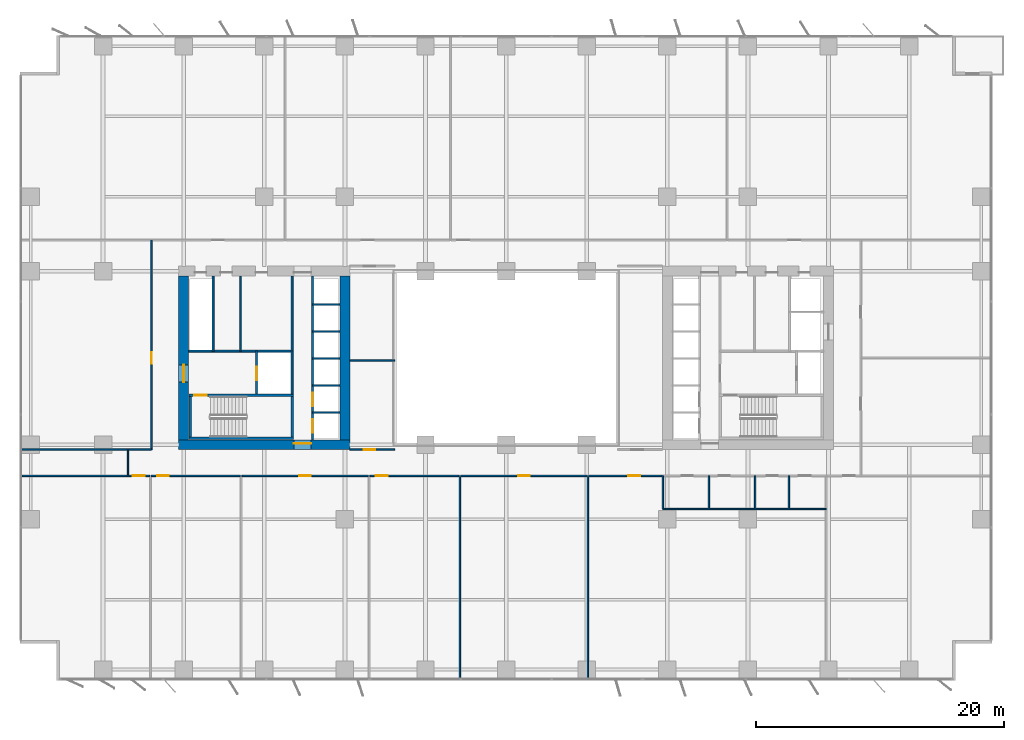
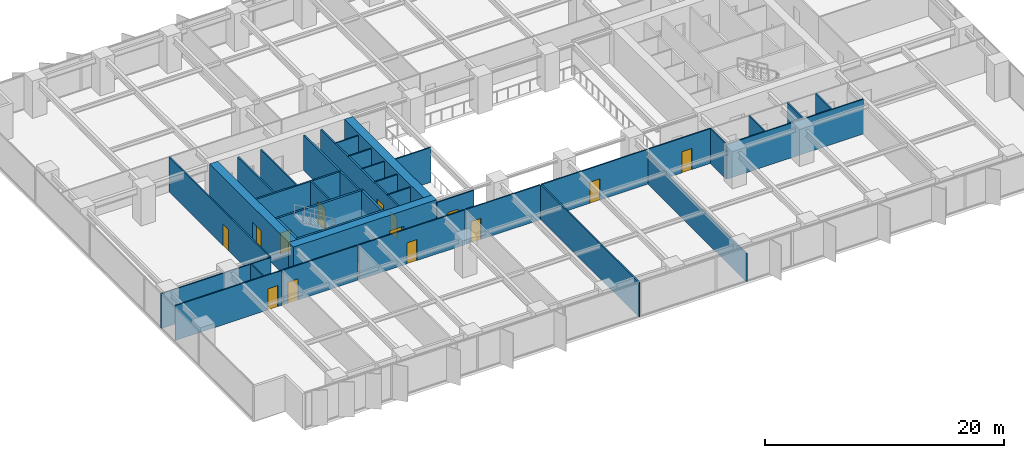
# One storey, part 13 of 20: 37 walls, 14 doors, 14 openings.
"""IFC4 building model written with IfcOpenShell, lengths in metres."""

from ifc_helpers import new_model, si_unit, direction, frame, frame_2d, origin, place, context, subcontext, project, spatial, rectangle, extrude, material, layer, layer_set, type_object, element, fill, save


model = new_model("IFC4")

# Units and contexts
model_context = context("Model", 3, precision=1e-05, world=origin(), true_north=direction((0.0, 1.0)))
body_context = subcontext(model_context, "Body", "Model", "MODEL_VIEW")
ifc_project = project(units=[si_unit("LENGTHUNIT", "METRE"), si_unit("AREAUNIT", "SQUARE_METRE"), si_unit("VOLUMEUNIT", "CUBIC_METRE"), si_unit("PLANEANGLEUNIT", "RADIAN"), si_unit("MASSUNIT", "GRAM", prefix="KILO")], contexts=[model_context])

# Site, building, storey
site_placement = place(None, origin())
site = spatial("IfcSite", under=ifc_project, at=site_placement, CompositionType="ELEMENT")
building_placement = place(site_placement, origin())
building = spatial("IfcBuilding", under=site, at=building_placement, Name="Putna Gate Headquarters", CompositionType="ELEMENT")
storey_placement = place(building_placement, frame((0.0, 0.0, 62.0)))
storey = spatial("IfcBuildingStorey", under=building, at=storey_placement, Name="L14", CompositionType="ELEMENT", Elevation=62.0)

# Wall, opening, door
ifc_material_1 = material(Name="Concrete C60/75", Category="concrete")
ifc_layer_1 = layer(ifc_material_1, 0.800048828125)
ifc_layer_set_1 = layer_set([ifc_layer_1], Name="Concrete C60/75")
wall_type_1 = type_object("IfcWallType", Name="WALL-CORE-800", PredefinedType="SHEAR", material=ifc_layer_set_1)
wall_1_placement = place(storey_placement, frame((12.60009765625, 19.0, 0.0), z_axis=(0.0, 0.0, 1.0), x_axis=(1.0, 0.0, 0.0)))
wall_1 = element("IfcWall", 1, at=wall_1_placement, inside=storey, type_object=wall_type_1, Name="L14 WC Split Core Shear Wall S", PredefinedType="SHEAR", context=body_context, shape_type="SweptSolid", body=[
    extrude(rectangle(XDim=13.7998046875, YDim=0.800048828125, at=frame_2d((6.89990234375, 0.0))), origin(), (0.0, 0.0, 1.0), 3.800048828125),
])
opening_1_placement = place(wall_1_placement, frame((9.280029296875, 0.0, 0.0)))
opening_1 = element("IfcOpeningElement", 2, at=opening_1_placement, cuts=wall_1, Name="Opening FDD-140", PredefinedType="OPENING", context=body_context, shape_type="SweptSolid", body=[
    extrude(rectangle(XDim=1.39990234375, YDim=2.199951171875, at=frame_2d((0.699951171875, 1.10009765625))), frame((0.0, 0.409912109375, 0.0), z_axis=(0.0, -1.0, 0.0), x_axis=(1.0, 0.0, 0.0)), (0.0, 0.0, 1.0), 0.820068359375),
])
ifc_material_2 = material(Name="Double steel fire door", Category="steel")
door_type_1 = type_object("IfcDoorType", Name="DOOR-FIRE-DBL-1400", OperationType="DOUBLE_DOOR_SINGLE_SWING", PredefinedType="DOOR", material=ifc_material_2)
door_1_placement = place(opening_1_placement, origin())
door_1 = element("IfcDoor", 3, at=door_1_placement, inside=storey, type_object=door_type_1, Name="L14 West Lift Lobby South Door", OperationType="DOUBLE_DOOR_SINGLE_SWING", OverallHeight=2.199951171875, OverallWidth=1.39990234375, PredefinedType="DOOR", context=body_context, shape_type="SweptSolid", body=[
    extrude(rectangle(XDim=1.39990234375, YDim=2.199951171875, at=frame_2d((0.699951171875, 1.10009765625))), frame((0.0, 0.125, 0.0), z_axis=(0.0, -1.0, 0.0), x_axis=(1.0, 0.0, 0.0)), (0.0, 0.0, 1.0), 0.050048828125),
])
fill(opening_1, door_1)

wall_2_placement = place(storey_placement, frame((13.0, 19.39990234375, 0.0), z_axis=(0.0, 0.0, 1.0), x_axis=(0.0, 1.0, 0.0)))
wall_2 = element("IfcWall", 4, at=wall_2_placement, inside=storey, type_object=wall_type_1, Name="L14 WC Split Core Shear Wall W", PredefinedType="SHEAR", context=body_context, shape_type="SweptSolid", body=[
    extrude(rectangle(XDim=13.2001953125, YDim=0.800048828125, at=frame_2d((6.60009765625, 0.0))), origin(), (0.0, 0.0, 1.0), 3.800048828125),
])
opening_2_placement = place(wall_2_placement, frame((4.64990234375, 0.0, 0.0)))
opening_2 = element("IfcOpeningElement", 5, at=opening_2_placement, cuts=wall_2, Name="Opening FDD-140", PredefinedType="OPENING", context=body_context, shape_type="SweptSolid", body=[
    extrude(rectangle(XDim=1.39990234375, YDim=2.199951171875, at=frame_2d((0.699951171875, 1.10009765625))), frame((0.0, 0.409912109375, 0.0), z_axis=(0.0, -1.0, 0.0), x_axis=(1.0, 0.0, 0.0)), (0.0, 0.0, 1.0), 0.820068359375),
])
door_2_placement = place(opening_2_placement, origin())
door_2 = element("IfcDoor", 6, at=door_2_placement, inside=storey, type_object=door_type_1, Name="L14 West Firefighting Lobby Door", OperationType="DOUBLE_DOOR_SINGLE_SWING", OverallHeight=2.199951171875, OverallWidth=1.39990234375, PredefinedType="DOOR", context=body_context, shape_type="SweptSolid", body=[
    extrude(rectangle(XDim=1.39990234375, YDim=2.199951171875, at=frame_2d((0.699951171875, 1.10009765625))), frame((0.0, 0.02490234375, 0.0), z_axis=(0.0, -1.0, 0.0), x_axis=(1.0, 0.0, 0.0)), (0.0, 0.0, 1.0), 0.050048828125),
])
fill(opening_2, door_2)

# Walls
wall_3_placement = place(storey_placement, frame((26.0, 19.39990234375, 0.0), z_axis=(0.0, 0.0, 1.0), x_axis=(0.0, 1.0, 0.0)))
element("IfcWall", 7, at=wall_3_placement, inside=storey, type_object=wall_type_1, Name="L14 WC Split Core Shear Wall E", PredefinedType="SHEAR", context=body_context, shape_type="SweptSolid", body=[
    extrude(rectangle(XDim=13.2001953125, YDim=0.800048828125, at=frame_2d((6.60009765625, 0.0))), origin(), (0.0, 0.0, 1.0), 3.800048828125),
])
ifc_material_3 = material(Name="Acoustic gypsum board on metal stud")
ifc_layer_2 = layer(ifc_material_3, 0.1201171875)
ifc_layer_set_2 = layer_set([ifc_layer_2], Name="Acoustic gypsum board on metal stud")
wall_type_2 = type_object("IfcWallType", Name="WALL-PART-120", PredefinedType="PARTITIONING", material=ifc_layer_set_2)
wall_4_placement = place(storey_placement, frame((26.39990234375, 25.800048828125, 0.0), z_axis=(0.0, 0.0, 1.0), x_axis=(1.0, 0.0, 0.0)))
element("IfcWall", 8, at=wall_4_placement, inside=storey, type_object=wall_type_2, Name="L14 Interior Wall PART-L14-ATR-W-DIV", PredefinedType="PARTITIONING", context=body_context, shape_type="SweptSolid", body=[
    extrude(rectangle(XDim=3.60009765625, YDim=0.1201171875, at=frame_2d((1.800048828125, 0.0))), origin(), (0.0, 0.0, 1.0), 3.550048828125),
])

# Wall, opening, door
wall_5_placement = place(storey_placement, frame((26.39990234375, 18.60009765625, 0.0), z_axis=(0.0, 0.0, 1.0), x_axis=(1.0, 0.0, 0.0)))
wall_5 = element("IfcWall", 9, at=wall_5_placement, inside=storey, type_object=wall_type_2, Name="L14 Interior Wall PART-L14-ATR-W-S", PredefinedType="PARTITIONING", context=body_context, shape_type="SweptSolid", body=[
    extrude(rectangle(XDim=3.60009765625, YDim=0.1201171875, at=frame_2d((1.800048828125, 0.0))), origin(), (0.0, 0.0, 1.0), 3.550048828125),
])
opening_3_placement = place(wall_5_placement, frame((1.10009765625, 0.0, 0.0)))
opening_3 = element("IfcOpeningElement", 10, at=opening_3_placement, cuts=wall_5, Name="Opening ID-95", PredefinedType="OPENING", context=body_context, shape_type="SweptSolid", body=[
    extrude(rectangle(XDim=0.949951171875, YDim=2.14990234375, at=frame_2d((0.47509765625, 1.074951171875))), frame((0.0, 0.070068359375, 0.0), z_axis=(0.0, -1.0, 0.0), x_axis=(1.0, 0.0, 0.0)), (0.0, 0.0, 1.0), 0.14013671875),
])
ifc_material_4 = material(Name="Veneered acoustic timber door", Category="wood")
door_type_2 = type_object("IfcDoorType", Name="DOOR-OFF-950", OperationType="NOTDEFINED", PredefinedType="DOOR", material=ifc_material_4)
door_3_placement = place(opening_3_placement, origin())
door_3 = element("IfcDoor", 11, at=door_3_placement, inside=storey, type_object=door_type_2, Name="L14 West Atrium South Study Door", OperationType="SINGLE_SWING_LEFT", OverallHeight=2.14990234375, OverallWidth=0.949951171875, PredefinedType="DOOR", context=body_context, shape_type="SweptSolid", body=[
    extrude(rectangle(XDim=0.949951171875, YDim=2.14990234375, at=frame_2d((0.47509765625, 1.074951171875))), frame((0.0, 0.02490234375, 0.0), z_axis=(0.0, -1.0, 0.0), x_axis=(1.0, 0.0, 0.0)), (0.0, 0.0, 1.0), 0.050048828125),
])
fill(opening_3, door_3)

# Walls
wall_6_placement = place(storey_placement, frame((35.27099609375, 0.02001953125, 0.0), z_axis=(0.0, 0.0, 1.0), x_axis=(0.0, 1.0, 0.0)))
element("IfcWall", 12, at=wall_6_placement, inside=storey, type_object=wall_type_2, Name="L14 Interior Wall PART-L14-SB-DIV-04", PredefinedType="PARTITIONING", context=body_context, shape_type="SweptSolid", body=[
    extrude(rectangle(XDim=16.419921875, YDim=0.1201171875, at=frame_2d((8.2099609375, 0.0))), origin(), (0.0, 0.0, 1.0), 3.550048828125),
])
wall_7_placement = place(storey_placement, frame((45.60009765625, 0.02001953125, 0.0), z_axis=(0.0, 0.0, 1.0), x_axis=(0.0, 1.0, 0.0)))
element("IfcWall", 13, at=wall_7_placement, inside=storey, type_object=wall_type_2, Name="L14 Interior Wall PART-L14-SB-DIV-05", PredefinedType="PARTITIONING", context=body_context, shape_type="SweptSolid", body=[
    extrude(rectangle(XDim=16.419921875, YDim=0.1201171875, at=frame_2d((8.2099609375, 0.0))), origin(), (0.0, 0.0, 1.0), 2.89990234375),
])
ifc_material_5 = material(Name="Fire-rated shaftwall gypsum board on metal stud")
ifc_layer_3 = layer(ifc_material_5, 0.1201171875)
ifc_layer_set_3 = layer_set([ifc_layer_3], Name="Fire-rated shaftwall gypsum board on metal stud")
wall_type_3 = type_object("IfcWallType", Name="WALL-PART-120-EI120", PredefinedType="PARTITIONING", material=ifc_layer_set_3)
for number, where, z_axis, x_axis, name in (
    (14, (23.39990234375, 21.610107421875, 0.0), (0.0, 0.0, 1.0), (1.0, 0.0, 0.0), "L14 Interior Wall CWINT-L14-WC-LF01-DIV"),
    (15, (23.39990234375, 23.780029296875, 0.0), (0.0, 0.0, 1.0), (1.0, 0.0, 0.0), "L14 Interior Wall CWINT-L14-WC-LF02-DIV"),
    (16, (23.39990234375, 25.949951171875, 0.0), (0.0, 0.0, 1.0), (1.0, 0.0, 0.0), "L14 Interior Wall CWINT-L14-WC-LF05-DIV"),
    (17, (23.39990234375, 28.1201171875, 0.0), (0.0, 0.0, 1.0), (1.0, 0.0, 0.0), "L14 Interior Wall CWINT-L14-WC-LF06-DIV"),
    (18, (23.39990234375, 30.31005859375, 0.0), (0.0, 0.0, 1.0), (1.0, 0.0, 0.0), "L14 Interior Wall CWINT-L14-WC-LF09-DIV"),
):
    element("IfcWall", number, at=place(storey_placement, frame(where, z_axis=z_axis, x_axis=x_axis)), inside=storey, type_object=wall_type_3, Name=name, PredefinedType="PARTITIONING", context=body_context, shape_type="SweptSolid", body=[
        extrude(rectangle(XDim=2.2001953125, YDim=0.1201171875, at=frame_2d((1.10009765625, 0.0))), origin(), (0.0, 0.0, 1.0), 3.550048828125),
    ])
ifc_material_6 = material(Name="Fire-rated gypsum board on metal stud")
ifc_layer_4 = layer(ifc_material_6, 0.1201171875)
ifc_layer_set_4 = layer_set([ifc_layer_4], Name="Fire-rated gypsum board on metal stud")
wall_type_4 = type_object("IfcWallType", Name="WALL-PART-120-RATED", PredefinedType="PARTITIONING", material=ifc_layer_set_4)
wall_8_placement = place(storey_placement, frame((17.570068359375, 26.56005859375, 0.0), z_axis=(0.0, 0.0, 1.0), x_axis=(0.0, 1.0, 0.0)))
element("IfcWall", 19, at=wall_8_placement, inside=storey, type_object=wall_type_4, Name="L14 Interior Wall CWINT-L14-WC-K1-DIV", PredefinedType="PARTITIONING", context=body_context, shape_type="SweptSolid", body=[
    extrude(rectangle(XDim=6.0400390625, YDim=0.1201171875, at=frame_2d((3.02001953125, 0.0))), origin(), (0.0, 0.0, 1.0), 3.550048828125),
])
wall_9_placement = place(storey_placement, frame((8.509033203125, 16.5, 0.0), z_axis=(0.0, 0.0, 1.0), x_axis=(0.0, 1.0, 0.0)))
element("IfcWall", 20, at=wall_9_placement, inside=storey, type_object=wall_type_4, Name="L14 Interior Wall PART-L14-CORRS-CAPW", PredefinedType="PARTITIONING", context=body_context, shape_type="SweptSolid", body=[
    extrude(rectangle(XDim=2.10009765625, YDim=0.1201171875, at=frame_2d((1.050048828125, 0.0))), origin(), (0.0, 0.0, 1.0), 3.550048828125),
])
wall_10_placement = place(storey_placement, frame((51.639892578125, 13.820068359375, 0.0), z_axis=(0.0, 0.0, 1.0), x_axis=(1.0, 0.0, 0.0)))
element("IfcWall", 21, at=wall_10_placement, inside=storey, type_object=wall_type_4, Name="L14 Interior Wall PART-L14-SAN-BACK", PredefinedType="PARTITIONING", context=body_context, shape_type="SweptSolid", body=[
    extrude(rectangle(XDim=13.16015625, YDim=0.1201171875, at=frame_2d((6.580078125, 0.0))), origin(), (0.0, 0.0, 1.0), 3.550048828125),
])
for number, where, z_axis, x_axis, name in (
    (22, (51.639892578125, 13.820068359375, 0.0), (0.0, 0.0, 1.0), (0.0, 1.0, 0.0), "L14 Interior Wall PART-L14-SAN-DIV-1"),
    (23, (55.360107421875, 13.820068359375, 0.0), (0.0, 0.0, 1.0), (0.0, 1.0, 0.0), "L14 Interior Wall PART-L14-SAN-DIV-2"),
    (24, (59.080078125, 13.820068359375, 0.0), (0.0, 0.0, 1.0), (0.0, 1.0, 0.0), "L14 Interior Wall PART-L14-SAN-DIV-3"),
    (25, (61.800048828125, 13.820068359375, 0.0), (0.0, 0.0, 1.0), (0.0, 1.0, 0.0), "L14 Interior Wall PART-L14-SAN-DIV-4"),
):
    element("IfcWall", number, at=place(storey_placement, frame(where, z_axis=z_axis, x_axis=x_axis)), inside=storey, type_object=wall_type_4, Name=name, PredefinedType="PARTITIONING", context=body_context, shape_type="SweptSolid", body=[
        extrude(rectangle(XDim=2.679931640625, YDim=0.1201171875, at=frame_2d((1.33984375, 0.0))), origin(), (0.0, 0.0, 1.0), 3.550048828125),
    ])

# Wall, opening, door
wall_11_placement = place(storey_placement, frame((-0.02001953125, 16.5, 0.0), z_axis=(0.0, 0.0, 1.0), x_axis=(1.0, 0.0, 0.0)))
wall_11 = element("IfcWall", 26, at=wall_11_placement, inside=storey, type_object=wall_type_4, Name="L14 Interior Wall PART-L14-SB-CW-01", PredefinedType="PARTITIONING", context=body_context, shape_type="SweptSolid", body=[
    extrude(rectangle(XDim=10.26904296875, YDim=0.1201171875, at=frame_2d((5.134521484375, 0.0))), origin(), (0.0, 0.0, 1.0), 3.550048828125),
])
opening_4_placement = place(wall_11_placement, frame((8.924072265625, 0.0, 0.0)))
opening_4 = element("IfcOpeningElement", 27, at=opening_4_placement, cuts=wall_11, Name="Opening FD-95", PredefinedType="OPENING", context=body_context, shape_type="SweptSolid", body=[
    extrude(rectangle(XDim=0.949951171875, YDim=2.14990234375, at=frame_2d((0.47509765625, 1.074951171875))), frame((0.0, 0.070068359375, 0.0), z_axis=(0.0, -1.0, 0.0), x_axis=(1.0, 0.0, 0.0)), (0.0, 0.0, 1.0), 0.14013671875),
])
ifc_material_7 = material(Name="Acoustic timber fire door", Category="wood")
door_type_3 = type_object("IfcDoorType", Name="DOOR-FIRE-950", OperationType="NOTDEFINED", PredefinedType="DOOR", material=ifc_material_7)
door_4_placement = place(opening_4_placement, origin())
door_4 = element("IfcDoor", 28, at=door_4_placement, inside=storey, type_object=door_type_3, Name="L14 Cellular Office 2 Door", OperationType="SINGLE_SWING_RIGHT", OverallHeight=2.14990234375, OverallWidth=0.949951171875, PredefinedType="DOOR", context=body_context, shape_type="SweptSolid", body=[
    extrude(rectangle(XDim=0.949951171875, YDim=2.14990234375, at=frame_2d((0.47509765625, 1.074951171875))), frame((0.0, 0.02490234375, 0.0), z_axis=(0.0, -1.0, 0.0), x_axis=(1.0, 0.0, 0.0)), (0.0, 0.0, 1.0), 0.050048828125),
])
fill(opening_4, door_4)

wall_12_placement = place(storey_placement, frame((10.369140625, 16.5, 0.0), z_axis=(0.0, 0.0, 1.0), x_axis=(1.0, 0.0, 0.0)))
wall_12 = element("IfcWall", 29, at=wall_12_placement, inside=storey, type_object=wall_type_4, Name="L14 Interior Wall PART-L14-SB-CW-02", PredefinedType="PARTITIONING", context=body_context, shape_type="SweptSolid", body=[
    extrude(rectangle(XDim=7.1962890625, YDim=0.1201171875, at=frame_2d((3.59814453125, 0.0))), origin(), (0.0, 0.0, 1.0), 3.550048828125),
])
opening_5_placement = place(wall_12_placement, frame((0.47998046875, 0.0, 0.0)))
opening_5 = element("IfcOpeningElement", 30, at=opening_5_placement, cuts=wall_12, Name="Opening FD-95", PredefinedType="OPENING", context=body_context, shape_type="SweptSolid", body=[
    extrude(rectangle(XDim=0.949951171875, YDim=2.14990234375, at=frame_2d((0.47509765625, 1.074951171875))), frame((0.0, 0.070068359375, 0.0), z_axis=(0.0, -1.0, 0.0), x_axis=(1.0, 0.0, 0.0)), (0.0, 0.0, 1.0), 0.14013671875),
])
door_5_placement = place(opening_5_placement, origin())
door_5 = element("IfcDoor", 31, at=door_5_placement, inside=storey, type_object=door_type_3, Name="L14 Conference Meeting Room 4 Door", OperationType="SINGLE_SWING_LEFT", OverallHeight=2.14990234375, OverallWidth=0.949951171875, PredefinedType="DOOR", context=body_context, shape_type="SweptSolid", body=[
    extrude(rectangle(XDim=0.949951171875, YDim=2.14990234375, at=frame_2d((0.47509765625, 1.074951171875))), frame((0.0, 0.02490234375, 0.0), z_axis=(0.0, -1.0, 0.0), x_axis=(1.0, 0.0, 0.0)), (0.0, 0.0, 1.0), 0.050048828125),
])
fill(opening_5, door_5)

wall_13_placement = place(storey_placement, frame((17.685546875, 16.5, 0.0), z_axis=(0.0, 0.0, 1.0), x_axis=(1.0, 0.0, 0.0)))
wall_13 = element("IfcWall", 32, at=wall_13_placement, inside=storey, type_object=wall_type_4, Name="L14 Interior Wall PART-L14-SB-CW-03", PredefinedType="PARTITIONING", context=body_context, shape_type="SweptSolid", body=[
    extrude(rectangle(XDim=10.208984375, YDim=0.1201171875, at=frame_2d((5.1044921875, 0.0))), origin(), (0.0, 0.0, 1.0), 3.550048828125),
])
opening_6_placement = place(wall_13_placement, frame((4.62939453125, 0.0, 0.0)))
opening_6 = element("IfcOpeningElement", 33, at=opening_6_placement, cuts=wall_13, Name="Opening FD-95", PredefinedType="OPENING", context=body_context, shape_type="SweptSolid", body=[
    extrude(rectangle(XDim=0.949951171875, YDim=2.14990234375, at=frame_2d((0.47509765625, 1.074951171875))), frame((0.0, 0.070068359375, 0.0), z_axis=(0.0, -1.0, 0.0), x_axis=(1.0, 0.0, 0.0)), (0.0, 0.0, 1.0), 0.14013671875),
])
door_6_placement = place(opening_6_placement, origin())
door_6 = element("IfcDoor", 34, at=door_6_placement, inside=storey, type_object=door_type_3, Name="L14 Conference Meeting Room 5 Door", OperationType="SINGLE_SWING_RIGHT", OverallHeight=2.14990234375, OverallWidth=0.949951171875, PredefinedType="DOOR", context=body_context, shape_type="SweptSolid", body=[
    extrude(rectangle(XDim=0.949951171875, YDim=2.14990234375, at=frame_2d((0.47509765625, 1.074951171875))), frame((0.0, 0.02490234375, 0.0), z_axis=(0.0, -1.0, 0.0), x_axis=(1.0, 0.0, 0.0)), (0.0, 0.0, 1.0), 0.050048828125),
])
fill(opening_6, door_6)

wall_14_placement = place(storey_placement, frame((28.014404296875, 16.5, 0.0), z_axis=(0.0, 0.0, 1.0), x_axis=(1.0, 0.0, 0.0)))
wall_14 = element("IfcWall", 35, at=wall_14_placement, inside=storey, type_object=wall_type_4, Name="L14 Interior Wall PART-L14-SB-CW-04", PredefinedType="PARTITIONING", context=body_context, shape_type="SweptSolid", body=[
    extrude(rectangle(XDim=7.196533203125, YDim=0.1201171875, at=frame_2d((3.59814453125, 0.0))), origin(), (0.0, 0.0, 1.0), 3.550048828125),
])
opening_7_placement = place(wall_14_placement, frame((0.47998046875, 0.0, 0.0)))
opening_7 = element("IfcOpeningElement", 36, at=opening_7_placement, cuts=wall_14, Name="Opening FD-95", PredefinedType="OPENING", context=body_context, shape_type="SweptSolid", body=[
    extrude(rectangle(XDim=0.949951171875, YDim=2.14990234375, at=frame_2d((0.47509765625, 1.074951171875))), frame((0.0, 0.070068359375, 0.0), z_axis=(0.0, -1.0, 0.0), x_axis=(1.0, 0.0, 0.0)), (0.0, 0.0, 1.0), 0.14013671875),
])
door_7_placement = place(opening_7_placement, origin())
door_7 = element("IfcDoor", 37, at=door_7_placement, inside=storey, type_object=door_type_3, Name="L14 Collaborative Breakout Lounge 1 Door", OperationType="SINGLE_SWING_LEFT", OverallHeight=2.14990234375, OverallWidth=0.949951171875, PredefinedType="DOOR", context=body_context, shape_type="SweptSolid", body=[
    extrude(rectangle(XDim=0.949951171875, YDim=2.14990234375, at=frame_2d((0.47509765625, 1.074951171875))), frame((0.0, 0.02490234375, 0.0), z_axis=(0.0, -1.0, 0.0), x_axis=(1.0, 0.0, 0.0)), (0.0, 0.0, 1.0), 0.050048828125),
])
fill(opening_7, door_7)

wall_15_placement = place(storey_placement, frame((35.330810546875, 16.5, 0.0), z_axis=(0.0, 0.0, 1.0), x_axis=(1.0, 0.0, 0.0)))
wall_15 = element("IfcWall", 38, at=wall_15_placement, inside=storey, type_object=wall_type_4, Name="L14 Interior Wall PART-L14-SB-CW-05", PredefinedType="PARTITIONING", context=body_context, shape_type="SweptSolid", body=[
    extrude(rectangle(XDim=10.209228515625, YDim=0.1201171875, at=frame_2d((5.1044921875, 0.0))), origin(), (0.0, 0.0, 1.0), 3.550048828125),
])
opening_8_placement = place(wall_15_placement, frame((4.629638671875, 0.0, 0.0)))
opening_8 = element("IfcOpeningElement", 39, at=opening_8_placement, cuts=wall_15, Name="Opening FD-95", PredefinedType="OPENING", context=body_context, shape_type="SweptSolid", body=[
    extrude(rectangle(XDim=0.949951171875, YDim=2.14990234375, at=frame_2d((0.47509765625, 1.074951171875))), frame((0.0, 0.070068359375, 0.0), z_axis=(0.0, -1.0, 0.0), x_axis=(1.0, 0.0, 0.0)), (0.0, 0.0, 1.0), 0.14013671875),
])
door_8_placement = place(opening_8_placement, origin())
door_8 = element("IfcDoor", 40, at=door_8_placement, inside=storey, type_object=door_type_3, Name="L14 Quiet Wellness Focus Studio 1 Door", OperationType="SINGLE_SWING_RIGHT", OverallHeight=2.14990234375, OverallWidth=0.949951171875, PredefinedType="DOOR", context=body_context, shape_type="SweptSolid", body=[
    extrude(rectangle(XDim=0.949951171875, YDim=2.14990234375, at=frame_2d((0.47509765625, 1.074951171875))), frame((0.0, 0.02490234375, 0.0), z_axis=(0.0, -1.0, 0.0), x_axis=(1.0, 0.0, 0.0)), (0.0, 0.0, 1.0), 0.050048828125),
])
fill(opening_8, door_8)

wall_16_placement = place(storey_placement, frame((45.659912109375, 16.5, 0.0), z_axis=(0.0, 0.0, 1.0), x_axis=(1.0, 0.0, 0.0)))
wall_16 = element("IfcWall", 41, at=wall_16_placement, inside=storey, type_object=wall_type_4, Name="L14 Interior Wall PART-L14-SB-CW-06", PredefinedType="PARTITIONING", context=body_context, shape_type="SweptSolid", body=[
    extrude(rectangle(XDim=5.920166015625, YDim=0.1201171875, at=frame_2d((2.9599609375, 0.0))), origin(), (0.0, 0.0, 1.0), 3.550048828125),
])
opening_9_placement = place(wall_16_placement, frame((3.194091796875, 0.0, 0.0)))
opening_9 = element("IfcOpeningElement", 42, at=opening_9_placement, cuts=wall_16, Name="Opening FD-95", PredefinedType="OPENING", context=body_context, shape_type="SweptSolid", body=[
    extrude(rectangle(XDim=0.949951171875, YDim=2.14990234375, at=frame_2d((0.47509765625, 1.074951171875))), frame((0.0, 0.070068359375, 0.0), z_axis=(0.0, -1.0, 0.0), x_axis=(1.0, 0.0, 0.0)), (0.0, 0.0, 1.0), 0.14013671875),
])
door_9_placement = place(opening_9_placement, origin())
door_9 = element("IfcDoor", 43, at=door_9_placement, inside=storey, type_object=door_type_3, Name="L14 Primary Open Office Workplace Door", OperationType="SINGLE_SWING_LEFT", OverallHeight=2.14990234375, OverallWidth=0.949951171875, PredefinedType="DOOR", context=body_context, shape_type="SweptSolid", body=[
    extrude(rectangle(XDim=0.949951171875, YDim=2.14990234375, at=frame_2d((0.47509765625, 1.074951171875))), frame((0.0, 0.02490234375, 0.0), z_axis=(0.0, -1.0, 0.0), x_axis=(1.0, 0.0, 0.0)), (0.0, 0.0, 1.0), 0.050048828125),
])
fill(opening_9, door_9)

# Wall
wall_17_placement = place(storey_placement, frame((-0.179931640625, 18.60009765625, 0.0), z_axis=(0.0, 0.0, 1.0), x_axis=(1.0, 0.0, 0.0)))
element("IfcWall", 44, at=wall_17_placement, inside=storey, type_object=wall_type_4, Name="L14 Interior Wall PART-L14-WW-S-BOUND", PredefinedType="PARTITIONING", context=body_context, shape_type="SweptSolid", body=[
    extrude(rectangle(XDim=10.579833984375, YDim=0.1201171875, at=frame_2d((5.2900390625, 0.0))), origin(), (0.0, 0.0, 1.0), 3.550048828125),
])

# Wall, opening, door
wall_18_placement = place(storey_placement, frame((10.39990234375, 18.60009765625, 0.0), z_axis=(0.0, 0.0, 1.0), x_axis=(0.0, 1.0, 0.0)))
wall_18 = element("IfcWall", 45, at=wall_18_placement, inside=storey, type_object=wall_type_4, Name="L14 Interior Wall PART-L14-WW-CW-1", PredefinedType="PARTITIONING", context=body_context, shape_type="SweptSolid", body=[
    extrude(rectangle(XDim=16.89990234375, YDim=0.1201171875, at=frame_2d((8.449951171875, 0.0))), origin(), (0.0, 0.0, 1.0), 3.550048828125),
])
opening_10_placement = place(wall_18_placement, frame((6.925048828125, 0.0, 0.0)))
opening_10 = element("IfcOpeningElement", 46, at=opening_10_placement, cuts=wall_18, Name="Opening FD-95", PredefinedType="OPENING", context=body_context, shape_type="SweptSolid", body=[
    extrude(rectangle(XDim=0.949951171875, YDim=2.14990234375, at=frame_2d((0.47509765625, 1.074951171875))), frame((0.0, 0.070068359375, 0.0), z_axis=(0.0, -1.0, 0.0), x_axis=(1.0, 0.0, 0.0)), (0.0, 0.0, 1.0), 0.14013671875),
])
door_10_placement = place(opening_10_placement, origin())
door_10 = element("IfcDoor", 47, at=door_10_placement, inside=storey, type_object=door_type_3, Name="L14 West Project Meeting Room 1 Door", OperationType="SINGLE_SWING_LEFT", OverallHeight=2.14990234375, OverallWidth=0.949951171875, PredefinedType="DOOR", context=body_context, shape_type="SweptSolid", body=[
    extrude(rectangle(XDim=0.949951171875, YDim=2.14990234375, at=frame_2d((0.47509765625, 1.074951171875))), frame((0.0, 0.02490234375, 0.0), z_axis=(0.0, -1.0, 0.0), x_axis=(1.0, 0.0, 0.0)), (0.0, 0.0, 1.0), 0.050048828125),
])
fill(opening_10, door_10)

# Wall
ifc_material_8 = material(Name="Concrete C40/50", Category="concrete")
ifc_layer_5 = layer(ifc_material_8, 0.159912109375)
ifc_layer_set_5 = layer_set([ifc_layer_5], Name="Concrete C40/50")
wall_type_5 = type_object("IfcWallType", Name="WALL-SHAFT-160", PredefinedType="STANDARD", material=ifc_layer_set_5)
wall_19_placement = place(storey_placement, frame((21.739990234375, 23.090087890625, 0.0), z_axis=(0.0, 0.0, 1.0), x_axis=(0.0, 1.0, 0.0)))
element("IfcWall", 48, at=wall_19_placement, inside=storey, type_object=wall_type_5, Name="L14 Interior Wall CWINT-L14-WC-FFL-E", PredefinedType="STANDARD", context=body_context, shape_type="SweptSolid", body=[
    extrude(rectangle(XDim=3.469970703125, YDim=0.159912109375, at=frame_2d((1.73486328125, 0.0))), origin(), (0.0, 0.0, 1.0), 3.550048828125),
])

# Wall, opening, door
wall_20_placement = place(storey_placement, frame((18.8798828125, 23.090087890625, 0.0), z_axis=(0.0, 0.0, 1.0), x_axis=(0.0, 1.0, 0.0)))
wall_20 = element("IfcWall", 49, at=wall_20_placement, inside=storey, type_object=wall_type_5, Name="L14 Interior Wall CWINT-L14-WC-LF13-W", PredefinedType="STANDARD", context=body_context, shape_type="SweptSolid", body=[
    extrude(rectangle(XDim=3.469970703125, YDim=0.159912109375, at=frame_2d((1.73486328125, 0.0))), origin(), (0.0, 0.0, 1.0), 3.550048828125),
])
opening_11_placement = place(wall_20_placement, frame((1.10009765625, 0.0, 0.0)))
opening_11 = element("IfcOpeningElement", 50, at=opening_11_placement, cuts=wall_20, Name="Opening LD-1", PredefinedType="OPENING", context=body_context, shape_type="SweptSolid", body=[
    extrude(rectangle(XDim=1.10009765625, YDim=2.199951171875, at=frame_2d((0.550048828125, 1.10009765625))), frame((0.0, 0.08984375, 0.0), z_axis=(0.0, -1.0, 0.0), x_axis=(1.0, 0.0, 0.0)), (0.0, 0.0, 1.0), 0.179931640625),
])
ifc_material_9 = material(Name="Brushed bronze stainless lift landing door")
door_type_4 = type_object("IfcDoorType", Name="DOOR-LIFT-1100", OperationType="DOUBLE_DOOR_SLIDING", PredefinedType="DOOR", material=ifc_material_9)
door_11_placement = place(opening_11_placement, origin())
door_11 = element("IfcDoor", 51, at=door_11_placement, inside=storey, type_object=door_type_4, Name="L14 Lift Landing Door LD-13", OperationType="DOUBLE_DOOR_SLIDING", OverallHeight=2.199951171875, OverallWidth=1.10009765625, PredefinedType="DOOR", context=body_context, shape_type="SweptSolid", body=[
    extrude(rectangle(XDim=1.10009765625, YDim=2.199951171875, at=frame_2d((0.550048828125, 1.10009765625))), frame((0.0, 0.02490234375, 0.0), z_axis=(0.0, -1.0, 0.0), x_axis=(1.0, 0.0, 0.0)), (0.0, 0.0, 1.0), 0.050048828125),
])
fill(opening_11, door_11)

# Walls
wall_21_placement = place(storey_placement, frame((13.39990234375, 26.56005859375, 0.0), z_axis=(0.0, 0.0, 1.0), x_axis=(1.0, 0.0, 0.0)))
element("IfcWall", 52, at=wall_21_placement, inside=storey, type_object=wall_type_5, Name="L14 Interior Wall CWINT-L14-WC-FFL-N", PredefinedType="STANDARD", context=body_context, shape_type="SweptSolid", body=[
    extrude(rectangle(XDim=8.340087890625, YDim=0.159912109375, at=frame_2d((4.169921875, 0.0))), origin(), (0.0, 0.0, 1.0), 3.550048828125),
])
for number, where, z_axis, x_axis, name in (
    (53, (15.3798828125, 26.56005859375, 0.0), (0.0, 0.0, 1.0), (0.0, 1.0, 0.0), "L14 Interior Wall CWINT-L14-WC-RISER-E"),
    (54, (21.739990234375, 26.56005859375, 0.0), (0.0, 0.0, 1.0), (0.0, 1.0, 0.0), "L14 Interior Wall CWINT-L14-WC-LOB-W"),
):
    element("IfcWall", number, at=place(storey_placement, frame(where, z_axis=z_axis, x_axis=x_axis)), inside=storey, type_object=wall_type_5, Name=name, PredefinedType="STANDARD", context=body_context, shape_type="SweptSolid", body=[
        extrude(rectangle(XDim=6.0400390625, YDim=0.159912109375, at=frame_2d((3.02001953125, 0.0))), origin(), (0.0, 0.0, 1.0), 3.550048828125),
    ])

# Wall, openings, doors
wall_22_placement = place(storey_placement, frame((23.39990234375, 19.39990234375, 0.0), z_axis=(0.0, 0.0, 1.0), x_axis=(0.0, 1.0, 0.0)))
wall_22 = element("IfcWall", 55, at=wall_22_placement, inside=storey, type_object=wall_type_5, Name="L14 Interior Wall CWINT-L14-WC-PL-WALL", PredefinedType="STANDARD", context=body_context, shape_type="SweptSolid", body=[
    extrude(rectangle(XDim=13.2001953125, YDim=0.159912109375, at=frame_2d((6.60009765625, 0.0))), origin(), (0.0, 0.0, 1.0), 3.550048828125),
])
opening_12_placement = place(wall_22_placement, frame((0.550048828125, 0.0, 0.0)))
opening_12 = element("IfcOpeningElement", 56, at=opening_12_placement, cuts=wall_22, Name="Opening LD-1", PredefinedType="OPENING", context=body_context, shape_type="SweptSolid", body=[
    extrude(rectangle(XDim=1.10009765625, YDim=2.199951171875, at=frame_2d((0.550048828125, 1.10009765625))), frame((0.0, 0.08984375, 0.0), z_axis=(0.0, -1.0, 0.0), x_axis=(1.0, 0.0, 0.0)), (0.0, 0.0, 1.0), 0.179931640625),
])
opening_13_placement = place(wall_22_placement, frame((2.699951171875, 0.0, 0.0)))
opening_13 = element("IfcOpeningElement", 57, at=opening_13_placement, cuts=wall_22, Name="Opening LD-1", PredefinedType="OPENING", context=body_context, shape_type="SweptSolid", body=[
    extrude(rectangle(XDim=1.10009765625, YDim=2.199951171875, at=frame_2d((0.550048828125, 1.10009765625))), frame((0.0, 0.08984375, 0.0), z_axis=(0.0, -1.0, 0.0), x_axis=(1.0, 0.0, 0.0)), (0.0, 0.0, 1.0), 0.179931640625),
])
door_12_placement = place(opening_12_placement, origin())
door_12 = element("IfcDoor", 58, at=door_12_placement, inside=storey, type_object=door_type_4, Name="L14 Lift Landing Door LD-01", OperationType="DOUBLE_DOOR_SLIDING", OverallHeight=2.199951171875, OverallWidth=1.10009765625, PredefinedType="DOOR", context=body_context, shape_type="SweptSolid", body=[
    extrude(rectangle(XDim=1.10009765625, YDim=2.199951171875, at=frame_2d((0.550048828125, 1.10009765625))), frame((0.0, 0.02490234375, 0.0), z_axis=(0.0, -1.0, 0.0), x_axis=(1.0, 0.0, 0.0)), (0.0, 0.0, 1.0), 0.050048828125),
])
fill(opening_12, door_12)
door_13_placement = place(opening_13_placement, origin())
door_13 = element("IfcDoor", 59, at=door_13_placement, inside=storey, type_object=door_type_4, Name="L14 Lift Landing Door LD-02", OperationType="DOUBLE_DOOR_SLIDING", OverallHeight=2.199951171875, OverallWidth=1.10009765625, PredefinedType="DOOR", context=body_context, shape_type="SweptSolid", body=[
    extrude(rectangle(XDim=1.10009765625, YDim=2.199951171875, at=frame_2d((0.550048828125, 1.10009765625))), frame((0.0, 0.02490234375, 0.0), z_axis=(0.0, -1.0, 0.0), x_axis=(1.0, 0.0, 0.0)), (0.0, 0.0, 1.0), 0.050048828125),
])
fill(opening_13, door_13)

# Wall
ifc_layer_6 = layer(ifc_material_8, 0.199951171875)
ifc_layer_set_6 = layer_set([ifc_layer_6], Name="Concrete C40/50")
wall_type_6 = type_object("IfcWallType", Name="WALL-SHAFT-RC200", PredefinedType="SHEAR", material=ifc_layer_set_6)
wall_23_placement = place(storey_placement, frame((13.409912109375, 19.510009765625, 0.0), z_axis=(0.0, 0.0, 1.0), x_axis=(1.0, 0.0, 0.0)))
element("IfcWall", 60, at=wall_23_placement, inside=storey, type_object=wall_type_6, Name="L14 Stair ST1 Structural Shaft Wall S", PredefinedType="SHEAR", context=body_context, shape_type="SweptSolid", body=[
    extrude(rectangle(XDim=8.43017578125, YDim=0.199951171875, at=frame_2d((4.215087890625, 0.0))), origin(), (0.0, 0.0, 1.0), 3.800048828125),
])

# Wall, opening, door
wall_24_placement = place(storey_placement, frame((13.409912109375, 22.989990234375, 0.0), z_axis=(0.0, 0.0, 1.0), x_axis=(1.0, 0.0, 0.0)))
wall_24 = element("IfcWall", 61, at=wall_24_placement, inside=storey, type_object=wall_type_6, Name="L14 Stair ST1 Structural Shaft Wall N", PredefinedType="SHEAR", context=body_context, shape_type="SweptSolid", body=[
    extrude(rectangle(XDim=8.43017578125, YDim=0.199951171875, at=frame_2d((4.215087890625, 0.0))), origin(), (0.0, 0.0, 1.0), 3.800048828125),
])
opening_14_placement = place(wall_24_placement, frame((0.449951171875, 0.0, 0.0)))
opening_14 = element("IfcOpeningElement", 62, at=opening_14_placement, cuts=wall_24, Name="Opening FD-100", PredefinedType="OPENING", context=body_context, shape_type="SweptSolid", body=[
    extrude(rectangle(XDim=1.0, YDim=2.14990234375, at=frame_2d((0.5, 1.074951171875))), frame((0.0, 0.10986328125, 0.0), z_axis=(0.0, -1.0, 0.0), x_axis=(1.0, 0.0, 0.0)), (0.0, 0.0, 1.0), 0.219970703125),
])
ifc_material_10 = material(Name="Powder-coated steel fire door", Category="steel")
door_type_5 = type_object("IfcDoorType", Name="DOOR-FIRE-1000", OperationType="NOTDEFINED", PredefinedType="DOOR", material=ifc_material_10)
door_14_placement = place(opening_14_placement, origin())
door_14 = element("IfcDoor", 63, at=door_14_placement, inside=storey, type_object=door_type_5, Name="L14 Stair ST1 Fire Door", OperationType="SINGLE_SWING_LEFT", OverallHeight=2.14990234375, OverallWidth=1.0, PredefinedType="DOOR", context=body_context, shape_type="SweptSolid", body=[
    extrude(rectangle(XDim=1.0, YDim=2.14990234375, at=frame_2d((0.5, 1.074951171875))), frame((0.0, 0.02490234375, 0.0), z_axis=(0.0, -1.0, 0.0), x_axis=(1.0, 0.0, 0.0)), (0.0, 0.0, 1.0), 0.050048828125),
])
fill(opening_14, door_14)

# Walls
for number, where, z_axis, x_axis, name in (
    (64, (13.510009765625, 19.610107421875, 0.0), (0.0, 0.0, 1.0), (0.0, 1.0, 0.0), "L14 Stair ST1 Structural Shaft Wall W"),
    (65, (21.739990234375, 19.610107421875, 0.0), (0.0, 0.0, 1.0), (0.0, 1.0, 0.0), "L14 Stair ST1 Structural Shaft Wall E"),
):
    element("IfcWall", number, at=place(storey_placement, frame(where, z_axis=z_axis, x_axis=x_axis)), inside=storey, type_object=wall_type_6, Name=name, PredefinedType="SHEAR", context=body_context, shape_type="SweptSolid", body=[
        extrude(rectangle(XDim=3.27978515625, YDim=0.199951171875, at=frame_2d((1.639892578125, 0.0))), origin(), (0.0, 0.0, 1.0), 3.800048828125),
    ])

save(model, "model.ifc")
